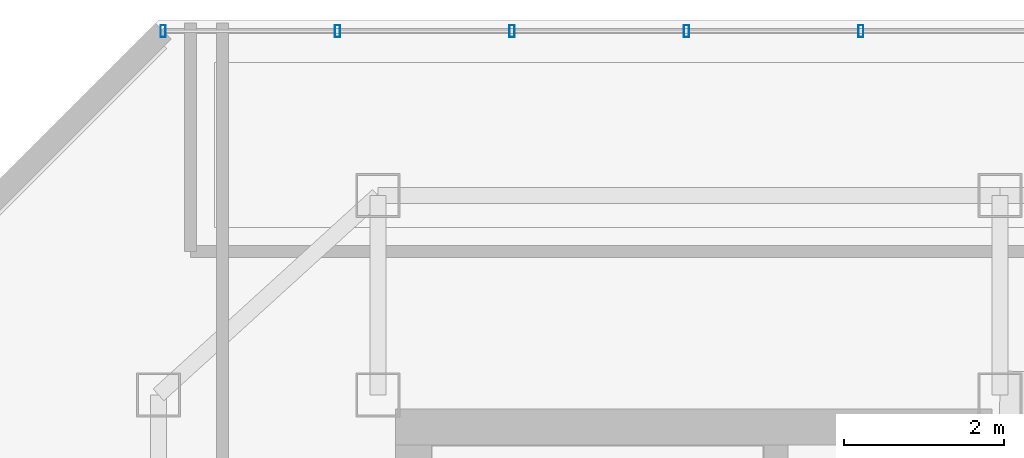
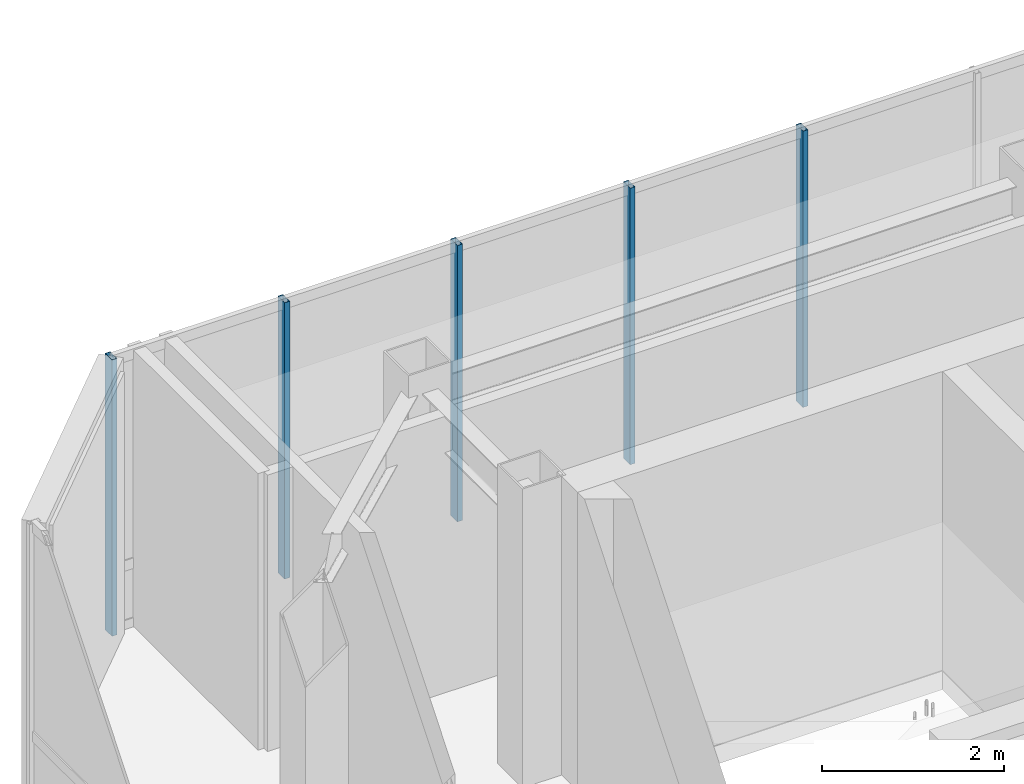
# One storey, part 16 of 24: 5 members, 1 element without a shape of its own.
"""IFC4 building model written with IfcOpenShell, lengths in metres."""

import ifcopenshell
import ifcopenshell.guid

model = None  # the IFC model being written
_history = None  # IfcOwnerHistory: only IFC2X3 demands one
_inside = {}  # id of a spatial element -> (the spatial element, [elements in it])
_under = {}  # id of a project, library or spatial element -> (it, [spatial elements below it])
_declared = {}  # id of a project -> (the project, [libraries it declares])
_typed = {}  # id of a type object -> (the type object, [elements of that type])
_made_of = {}  # id of a material, layer set ... -> (it, [elements and type objects made of it])


def new_model(schema):
    """Start an empty IFC model of exactly this schema.

    Asked for "IFC4X3", IfcOpenShell would pick the latest addendum, in which some entities
    have other attributes; the version numbers below select the first issue.
    IFC2X3 requires an IfcOwnerHistory on every rooted entity: one is made here for all.
    """
    global model, _history
    if schema == "IFC4X3":
        model = ifcopenshell.file(schema_version=(4, 3, 0, 0))
    else:
        model = ifcopenshell.file(schema=schema)
    _inside.clear()
    _under.clear()
    _declared.clear()
    _typed.clear()
    _made_of.clear()
    _history = None
    if model.schema == "IFC2X3":
        org = make("IfcOrganization", Name="unknown")
        user = make(
            "IfcPersonAndOrganization",
            ThePerson=make("IfcPerson", FamilyName="unknown"),
            TheOrganization=org,
        )
        app = make(
            "IfcApplication",
            ApplicationDeveloper=org,
            Version="unknown",
            ApplicationFullName="unknown",
            ApplicationIdentifier="unknown",
        )
        _history = make(
            "IfcOwnerHistory",
            OwningUser=user,
            OwningApplication=app,
            ChangeAction="ADDED",
            CreationDate=0,
        )
    return model


def make(cls, **values):
    """One entity of the class cls with the attributes given. An attribute that is None is left unset."""
    return model.create_entity(
        cls, **{name: value for name, value in values.items() if value is not None}
    )


def rooted(cls, **values):
    """An entity with a GlobalId (a new one), such as an element, a storey or a relation."""
    return make(cls, GlobalId=ifcopenshell.guid.new(), OwnerHistory=_history, **values)


def si_unit(unit_type, name, prefix=None):
    """IfcSIUnit, for example si_unit("LENGTHUNIT", "METRE", prefix="MILLI")."""
    return make("IfcSIUnit", UnitType=unit_type, Prefix=prefix, Name=name)


def assignment(units):
    """IfcUnitAssignment: the units of a project."""
    return None if units is None else make("IfcUnitAssignment", Units=units)


def point(xyz):
    """IfcCartesianPoint."""
    return None if xyz is None else make("IfcCartesianPoint", Coordinates=xyz)


def direction(xyz):
    """IfcDirection."""
    return None if xyz is None else make("IfcDirection", DirectionRatios=xyz)


def frame(location, z_axis=None, x_axis=None):
    """IfcAxis2Placement3D, a coordinate frame: its origin and axes. An axis left out is left unset."""
    return make(
        "IfcAxis2Placement3D",
        Location=point(location),
        Axis=direction(z_axis),
        RefDirection=direction(x_axis),
    )


def frame_2d(location, x_axis=None):
    """IfcAxis2Placement2D, a coordinate frame in the plane: its origin and x axis."""
    return make(
        "IfcAxis2Placement2D", Location=point(location), RefDirection=direction(x_axis)
    )


def origin():
    """The frame at (0, 0, 0) with its axes left unset."""
    return frame((0.0, 0.0, 0.0))


def origin_2d():
    """The frame at (0, 0) in the plane with its x axis left unset."""
    return frame_2d((0.0, 0.0))


def place(relative_to, where):
    """IfcLocalPlacement: puts the frame where relative to a parent placement (None: the world)."""
    return make(
        "IfcLocalPlacement", PlacementRelTo=relative_to, RelativePlacement=where
    )


def context(
    kind, dimensions, precision=None, world=None, true_north=None, identifier=None
):
    """IfcGeometricRepresentationContext, for example the 3D "Model" context."""
    return make(
        "IfcGeometricRepresentationContext",
        ContextIdentifier=identifier,
        ContextType=kind,
        CoordinateSpaceDimension=dimensions,
        Precision=precision,
        WorldCoordinateSystem=world,
        TrueNorth=true_north,
    )


def subcontext(parent, identifier, kind, view, scale=None):
    """IfcGeometricRepresentationSubContext, for example "Body" below "Model"."""
    return make(
        "IfcGeometricRepresentationSubContext",
        ContextIdentifier=identifier,
        ContextType=kind,
        ParentContext=parent,
        TargetScale=scale,
        TargetView=view,
    )


def project(units=None, contexts=None):
    """IfcProject with its units and contexts."""
    return rooted(
        "IfcProject",
        Name="project",
        RepresentationContexts=contexts,
        UnitsInContext=assignment(units),
    )


def spatial(cls, under=None, at=None, **own):
    """A site, building, storey or space (cls), placed at a placement, below another one or the project."""
    s = rooted(cls, ObjectPlacement=at, **own)
    if under is not None:
        _under.setdefault(under.id(), (under, []))[1].append(s)
    return s


def profile(cls, at=None, kind="AREA", **sizes):
    """A parametric profile (cls). Its sizes go by their IFC names, for example OverallWidth=200.0."""
    return make(cls, ProfileType=kind, Position=at, **sizes)


def hollow_rectangle(**sizes):
    """IfcRectangleHollowProfileDef."""
    return profile("IfcRectangleHollowProfileDef", **sizes)


def extrude(swept, where, along, depth):
    """IfcExtrudedAreaSolid: the profile swept, set in the frame where, extruded along a direction by depth."""
    return make(
        "IfcExtrudedAreaSolid",
        SweptArea=swept,
        Position=where,
        ExtrudedDirection=direction(along),
        Depth=depth,
    )


def shape(context_of_items, identifier, shape_type, items):
    """IfcShapeRepresentation: the items that make up one representation, for example the "Body"."""
    return make(
        "IfcShapeRepresentation",
        ContextOfItems=context_of_items,
        RepresentationIdentifier=identifier,
        RepresentationType=shape_type,
        Items=items,
    )


def material(Name=None, Category=None):
    """IfcMaterial."""
    return make("IfcMaterial", Name=Name, Category=Category)


def layer(
    of_material, thickness, ventilated=None, Name=None, Category=None, Priority=None
):
    """IfcMaterialLayer: one layer of a wall or slab, of a material (None: an air gap)."""
    return make(
        "IfcMaterialLayer",
        Material=of_material,
        LayerThickness=thickness,
        IsVentilated=ventilated,
        Name=Name,
        Category=Category,
        Priority=Priority,
    )


def layer_set(layers, Name=None):
    """IfcMaterialLayerSet."""
    return make("IfcMaterialLayerSet", MaterialLayers=layers, LayerSetName=Name)


def material_profile(
    of_material, cross_section, Name=None, Category=None, Priority=None
):
    """IfcMaterialProfile: a cross section and its material."""
    return make(
        "IfcMaterialProfile",
        Name=Name,
        Material=of_material,
        Profile=cross_section,
        Priority=Priority,
        Category=Category,
    )


def profile_set(profiles, Name=None, composite=None):
    """IfcMaterialProfileSet."""
    return make(
        "IfcMaterialProfileSet",
        Name=Name,
        MaterialProfiles=profiles,
        CompositeProfile=composite,
    )


def made_of(thing, what):
    """Note that an element or type object is made of a material, layer set ...; save() writes the relation."""
    if what is not None:
        _made_of.setdefault(what.id(), (what, []))[1].append(thing)
    return thing


def type_object(cls, material=None, **own):
    """A type object (cls), such as IfcWallType, which elements share."""
    return made_of(rooted(cls, **own), material)


def element(
    cls,
    number,
    at=None,
    inside=None,
    cuts=None,
    type_object=None,
    material=None,
    context=None,
    identifier="Body",
    shape_type=None,
    held_by="IfcProductDefinitionShape",
    body=None,
    shapes=None,
    **own,
):
    """One element of the class cls, such as IfcWall. Its Tag is "e" and its number.

    at: its placement. inside: the storey or other place that contains it. cuts: it is an
    opening in that element (IfcRelVoidsElement). A single representation is given by context,
    identifier, shape_type and body (its items); several are given by shapes. held_by: the class
    of the entity that holds the representations. save() writes the other relations.
    """
    e = rooted(cls, Tag="e%d" % number, ObjectPlacement=at, **own)
    if body is not None:
        shapes = [shape(context, identifier, shape_type, body)]
    if shapes is not None:
        e.Representation = make(held_by, Representations=shapes)
    if inside is not None:
        _inside.setdefault(inside.id(), (inside, []))[1].append(e)
    if cuts is not None:
        rooted(
            "IfcRelVoidsElement", RelatingBuildingElement=cuts, RelatedOpeningElement=e
        )
    if type_object is not None:
        _typed.setdefault(type_object.id(), (type_object, []))[1].append(e)
    return made_of(e, material)


def aggregate(whole, parts):
    """IfcRelAggregates: a whole, such as a stair, and the parts it consists of."""
    return rooted("IfcRelAggregates", RelatingObject=whole, RelatedObjects=parts)


def save(model, path):
    """Write the relations noted so far, then the file.

    IfcRelAggregates (storeys below a building ...), IfcRelContainedInSpatialStructure (elements
    in a storey), IfcRelDefinesByType, IfcRelAssociatesMaterial and IfcRelDeclares: one each for
    every whole, place, type object, material and project.
    """
    for whole, parts in _under.values():
        aggregate(whole, parts)
    for where, things in _inside.values():
        rooted(
            "IfcRelContainedInSpatialStructure",
            RelatedElements=things,
            RelatingStructure=where,
        )
    for kind, things in _typed.values():
        rooted("IfcRelDefinesByType", RelatedObjects=things, RelatingType=kind)
    for what, things in _made_of.values():
        rooted("IfcRelAssociatesMaterial", RelatedObjects=things, RelatingMaterial=what)
    for by, libraries in _declared.values():
        rooted("IfcRelDeclares", RelatingContext=by, RelatedDefinitions=libraries)
    model.write(path)


model = new_model("IFC4")

# Units and contexts
model_context = context("Model", 3, precision=1e-05, world=origin(), true_north=direction((0.0, 1.0)))
body_context = subcontext(model_context, "Body", "Model", "MODEL_VIEW")
ifc_project = project(units=[si_unit("LENGTHUNIT", "METRE"), si_unit("AREAUNIT", "SQUARE_METRE"), si_unit("VOLUMEUNIT", "CUBIC_METRE"), si_unit("PLANEANGLEUNIT", "RADIAN"), si_unit("MASSUNIT", "GRAM", prefix="KILO")], contexts=[model_context])

# Site, building, storey
site_placement = place(None, origin())
site = spatial("IfcSite", under=ifc_project, at=site_placement, CompositionType="ELEMENT")
building_placement = place(site_placement, origin())
building = spatial("IfcBuilding", under=site, at=building_placement, Name="Hatsunagi Terrace Concourse", CompositionType="ELEMENT")
storey_placement = place(building_placement, frame((0.0, 0.0, 285.949951171875)))
storey = spatial("IfcBuildingStorey", under=building, at=storey_placement, Name="L75", CompositionType="ELEMENT", Elevation=285.949951171875)

# Curtain wall, members
ifc_material_1 = material(Name="Anodised Aluminium Alloy 6063-T5", Category="aluminium")
ifc_layer = layer(ifc_material_1, 0.199951171875)
ifc_layer_set = layer_set([ifc_layer], Name="CrownWintergarden_CW06")
curtain_wall_type = type_object("IfcCurtainWallType", Name="CrownWintergarden_CW06", PredefinedType="NOTDEFINED", material=ifc_layer_set)
curtain_wall_placement = place(storey_placement, origin())
curtain_wall = element("IfcCurtainWall", 1, at=curtain_wall_placement, inside=storey, type_object=curtain_wall_type, Name="Unitised Curtain Wall CW-06 CW-L75-09", PredefinedType="NOTDEFINED")
ifc_material_2 = material(Name="Anodised Aluminium Alloy 6063-T5", Category="aluminium")
ifc_material_profile = material_profile(ifc_material_2, hollow_rectangle(XDim=0.06494140625, YDim=0.14990234375, WallThickness=0.00390625, at=origin_2d()), Name="ALU-MUL-150x65x4")
ifc_profile_set = profile_set([ifc_material_profile], Name="Anodised Aluminium Alloy 6063-T5")
member_type = type_object("IfcMemberType", Name="CurtainWallMullion_Crown_150x65", PredefinedType="MULLION", material=ifc_profile_set)
member_1_placement = place(storey_placement, frame((22.85791015625, 47.860107421875, 0.0), z_axis=(0.0, 0.0, 1.0), x_axis=(1.0, 0.0, 0.0)))
member_1 = element("IfcMember", 2, at=member_1_placement, type_object=member_type, Name="Curtain Wall Mullion MUL-03", PredefinedType="MULLION", context=body_context, shape_type="SweptSolid", body=[
    extrude(hollow_rectangle(XDim=0.06494140625, YDim=0.14990234375, WallThickness=0.00390625, at=origin_2d()), origin(), (0.0, 0.0, 1.0), 3.699951171875),
])
member_2_placement = place(storey_placement, frame((25.044921875, 47.860107421875, 0.0), z_axis=(0.0, 0.0, 1.0), x_axis=(1.0, 0.0, 0.0)))
member_2 = element("IfcMember", 3, at=member_2_placement, type_object=member_type, Name="Curtain Wall Mullion MUL-03", PredefinedType="MULLION", context=body_context, shape_type="SweptSolid", body=[
    extrude(hollow_rectangle(XDim=0.06494140625, YDim=0.14990234375, WallThickness=0.00390625, at=origin_2d()), origin(), (0.0, 0.0, 1.0), 3.699951171875),
])
member_3_placement = place(storey_placement, frame((27.23193359375, 47.860107421875, 0.0), z_axis=(0.0, 0.0, 1.0), x_axis=(1.0, 0.0, 0.0)))
member_3 = element("IfcMember", 4, at=member_3_placement, type_object=member_type, Name="Curtain Wall Mullion MUL-03", PredefinedType="MULLION", context=body_context, shape_type="SweptSolid", body=[
    extrude(hollow_rectangle(XDim=0.06494140625, YDim=0.14990234375, WallThickness=0.00390625, at=origin_2d()), origin(), (0.0, 0.0, 1.0), 3.699951171875),
])
member_4_placement = place(storey_placement, frame((29.4189453125, 47.860107421875, 0.0), z_axis=(0.0, 0.0, 1.0), x_axis=(1.0, 0.0, 0.0)))
member_4 = element("IfcMember", 5, at=member_4_placement, type_object=member_type, Name="Curtain Wall Mullion MUL-03", PredefinedType="MULLION", context=body_context, shape_type="SweptSolid", body=[
    extrude(hollow_rectangle(XDim=0.06494140625, YDim=0.14990234375, WallThickness=0.00390625, at=origin_2d()), origin(), (0.0, 0.0, 1.0), 3.699951171875),
])
member_5_placement = place(storey_placement, frame((31.60595703125, 47.860107421875, 0.0), z_axis=(0.0, 0.0, 1.0), x_axis=(1.0, 0.0, 0.0)))
member_5 = element("IfcMember", 6, at=member_5_placement, type_object=member_type, Name="Curtain Wall Mullion MUL-03", PredefinedType="MULLION", context=body_context, shape_type="SweptSolid", body=[
    extrude(hollow_rectangle(XDim=0.06494140625, YDim=0.14990234375, WallThickness=0.00390625, at=origin_2d()), origin(), (0.0, 0.0, 1.0), 3.699951171875),
])
aggregate(curtain_wall, [member_1, member_2, member_3, member_4, member_5])

save(model, "model.ifc")
